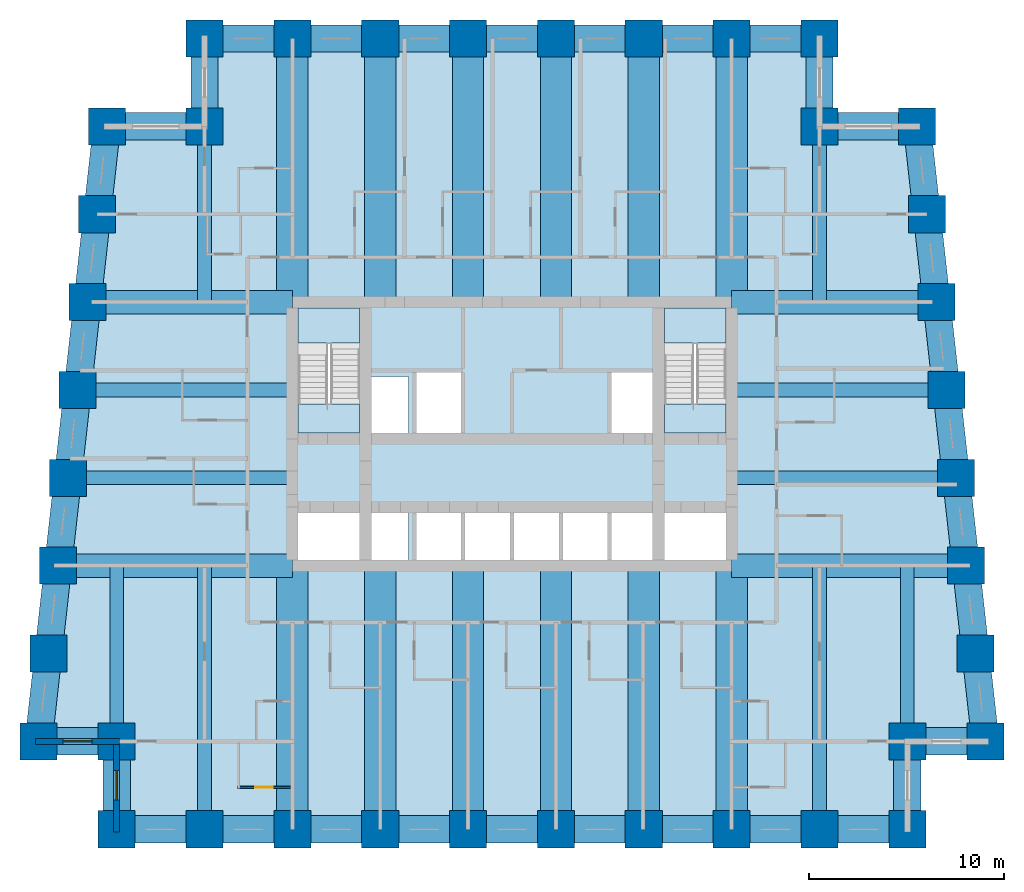
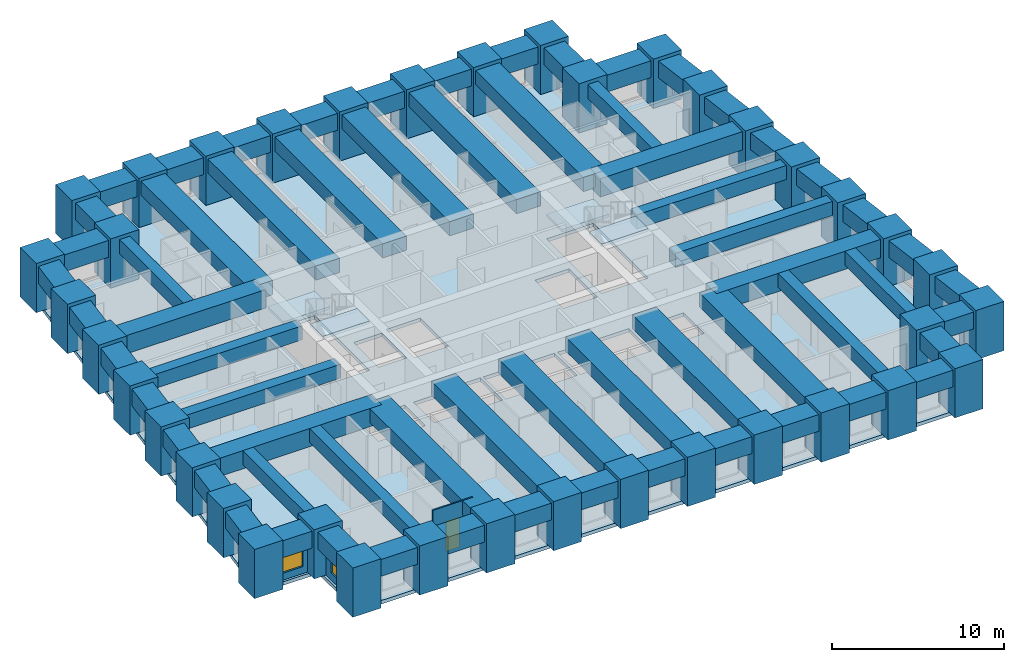
# One storey, part 1 of 8: 64 beams, 38 columns, 5 slabs, 3 walls, 2 windows, 1 door, 3 openings, 2 elements without a shape of their own.
"""IFC4 building model written with IfcOpenShell, lengths in metres."""

from ifc_helpers import new_model, si_unit, direction, frame, frame_2d, origin, origin_2d, place, context, subcontext, project, spatial, polyline, rectangle, outline, extrude, material, layer, layer_set, material_profile, profile_set, type_object, element, fill, aggregate, save


model = new_model("IFC4")

# Units and contexts
model_context = context("Model", 3, precision=1e-05, world=origin(), true_north=direction((0.0, 1.0)))
body_context = subcontext(model_context, "Body", "Model", "MODEL_VIEW")
ifc_project = project(units=[si_unit("LENGTHUNIT", "METRE"), si_unit("AREAUNIT", "SQUARE_METRE"), si_unit("VOLUMEUNIT", "CUBIC_METRE"), si_unit("PLANEANGLEUNIT", "RADIAN"), si_unit("MASSUNIT", "GRAM", prefix="KILO")], contexts=[model_context])

# Site, building, storey
site_placement = place(None, origin())
site = spatial("IfcSite", under=ifc_project, at=site_placement, CompositionType="ELEMENT")
building_placement = place(site_placement, origin())
building = spatial("IfcBuilding", under=site, at=building_placement, Name="Kilele Tower Hotel", CompositionType="ELEMENT")
storey_placement = place(building_placement, frame((0.0, 0.0, 78.699951171875)))
storey = spatial("IfcBuildingStorey", under=building, at=storey_placement, Name="L19", CompositionType="ELEMENT", Elevation=78.699951171875)

# Columns
ifc_material_1 = material(Name="Concrete C80/95", Category="concrete")
ifc_material_profile_1 = material_profile(ifc_material_1, rectangle(XDim=1.89990234375, YDim=1.89990234375, at=origin_2d()))
ifc_profile_set_1 = profile_set([ifc_material_profile_1], Name="Concrete C80/95")
column_type = type_object("IfcColumnType", Name="Tube column RC 1900x1900 C80/95", PredefinedType="COLUMN", material=ifc_profile_set_1)
for number, where, z_axis, x_axis, name in (
    (1, (0.5, 4.5, 0.0), (0.0, 0.0, 1.0), (1.0, 0.0, 0.0), "Column TC1 L19"),
    (2, (4.5, 4.5, 0.0), (0.0, 0.0, 1.0), (1.0, 0.0, 0.0), "Column TC1 L19"),
    (3, (4.5, 0.0, 0.0), (0.0, 0.0, 1.0), (1.0, 0.0, 0.0), "Column TC1 L19"),
    (4, (9.0, 0.0, 0.0), (0.0, 0.0, 1.0), (1.0, 0.0, 0.0), "Column TC1 L19"),
    (5, (13.5, 0.0, 0.0), (0.0, 0.0, 1.0), (1.0, 0.0, 0.0), "Column TC1 L19"),
    (6, (18.0, 0.0, 0.0), (0.0, 0.0, 1.0), (1.0, 0.0, 0.0), "Column TC1 L19"),
    (7, (22.5, 0.0, 0.0), (0.0, 0.0, 1.0), (1.0, 0.0, 0.0), "Column TC1 L19"),
    (8, (27.0, 0.0, 0.0), (0.0, 0.0, 1.0), (1.0, 0.0, 0.0), "Column TC1 L19"),
    (9, (31.5, 0.0, 0.0), (0.0, 0.0, 1.0), (1.0, 0.0, 0.0), "Column TC1 L19"),
    (10, (36.0, 0.0, 0.0), (0.0, 0.0, 1.0), (1.0, 0.0, 0.0), "Column TC1 L19"),
    (11, (40.5, 0.0, 0.0), (0.0, 0.0, 1.0), (1.0, 0.0, 0.0), "Column TC1 L19"),
    (12, (45.0, 0.0, 0.0), (0.0, 0.0, 1.0), (1.0, 0.0, 0.0), "Column TC1 L19"),
    (13, (45.0, 4.5, 0.0), (0.0, 0.0, 1.0), (1.0, 0.0, 0.0), "Column TC1 L19"),
    (14, (49.0, 4.5, 0.0), (0.0, 0.0, 1.0), (1.0, 0.0, 0.0), "Column TC1 L19"),
    (15, (48.5, 9.0, 0.0), (0.0, 0.0, 1.0), (1.0, 0.0, 0.0), "Column TC1 L19"),
    (16, (48.0, 13.5, 0.0), (0.0, 0.0, 1.0), (1.0, 0.0, 0.0), "Column TC1 L19"),
    (17, (47.5, 18.0, 0.0), (0.0, 0.0, 1.0), (1.0, 0.0, 0.0), "Column TC1 L19"),
    (18, (47.0, 22.5, 0.0), (0.0, 0.0, 1.0), (1.0, 0.0, 0.0), "Column TC1 L19"),
    (19, (46.5, 27.0, 0.0), (0.0, 0.0, 1.0), (1.0, 0.0, 0.0), "Column TC1 L19"),
    (20, (46.0, 31.5, 0.0), (0.0, 0.0, 1.0), (1.0, 0.0, 0.0), "Column TC1 L19"),
    (21, (45.5, 36.0, 0.0), (0.0, 0.0, 1.0), (1.0, 0.0, 0.0), "Column TC1 L19"),
    (22, (40.5, 36.0, 0.0), (0.0, 0.0, 1.0), (1.0, 0.0, 0.0), "Column TC1 L19"),
    (23, (40.5, 40.5, 0.0), (0.0, 0.0, 1.0), (1.0, 0.0, 0.0), "Column TC1 L19"),
    (24, (36.0, 40.5, 0.0), (0.0, 0.0, 1.0), (1.0, 0.0, 0.0), "Column TC1 L19"),
    (25, (31.5, 40.5, 0.0), (0.0, 0.0, 1.0), (1.0, 0.0, 0.0), "Column TC1 L19"),
    (26, (27.0, 40.5, 0.0), (0.0, 0.0, 1.0), (1.0, 0.0, 0.0), "Column TC1 L19"),
    (27, (22.5, 40.5, 0.0), (0.0, 0.0, 1.0), (1.0, 0.0, 0.0), "Column TC1 L19"),
    (28, (18.0, 40.5, 0.0), (0.0, 0.0, 1.0), (1.0, 0.0, 0.0), "Column TC1 L19"),
    (29, (13.5, 40.5, 0.0), (0.0, 0.0, 1.0), (1.0, 0.0, 0.0), "Column TC1 L19"),
    (30, (9.0, 40.5, 0.0), (0.0, 0.0, 1.0), (1.0, 0.0, 0.0), "Column TC1 L19"),
    (31, (9.0, 36.0, 0.0), (0.0, 0.0, 1.0), (1.0, 0.0, 0.0), "Column TC1 L19"),
    (32, (4.0, 36.0, 0.0), (0.0, 0.0, 1.0), (1.0, 0.0, 0.0), "Column TC1 L19"),
    (33, (3.5, 31.5, 0.0), (0.0, 0.0, 1.0), (1.0, 0.0, 0.0), "Column TC1 L19"),
    (34, (3.0, 27.0, 0.0), (0.0, 0.0, 1.0), (1.0, 0.0, 0.0), "Column TC1 L19"),
    (35, (2.5, 22.5, 0.0), (0.0, 0.0, 1.0), (1.0, 0.0, 0.0), "Column TC1 L19"),
    (36, (2.0, 18.0, 0.0), (0.0, 0.0, 1.0), (1.0, 0.0, 0.0), "Column TC1 L19"),
    (37, (1.5, 13.5, 0.0), (0.0, 0.0, 1.0), (1.0, 0.0, 0.0), "Column TC1 L19"),
    (38, (1.0, 9.0, 0.0), (0.0, 0.0, 1.0), (1.0, 0.0, 0.0), "Column TC1 L19"),
):
    element("IfcColumn", number, at=place(storey_placement, frame(where, z_axis=z_axis, x_axis=x_axis)), inside=storey, type_object=column_type, Name=name, PredefinedType="COLUMN", context=body_context, shape_type="SweptSolid", body=[
        extrude(rectangle(XDim=1.89990234375, YDim=1.89990234375, at=origin_2d()), origin(), (0.0, 0.0, 1.0), 3.5),
    ])

# Beams
ifc_material_2 = material(Name="Concrete C60/75", Category="concrete")
ifc_material_profile_2 = material_profile(ifc_material_2, rectangle(XDim=1.60009765625, YDim=1.0, at=origin_2d()))
ifc_profile_set_2 = profile_set([ifc_material_profile_2], Name="Concrete C60/75")
beam_type_1 = type_object("IfcBeamType", Name="Beam RC 1600x1000 C60/75", PredefinedType="BEAM", material=ifc_profile_set_2)
for number, where, z_axis, x_axis, name in (
    (39, (13.5, 0.0, 2.75), (0.0, 1.0, 0.0), (-1.0, 0.0, 0.0), "Beam BC1 level L20"),
    (40, (18.0, 0.0, 2.75), (0.0, 1.0, 0.0), (-1.0, 0.0, 0.0), "Beam BC1 level L20"),
    (41, (22.5, 0.0, 2.75), (0.0, 1.0, 0.0), (-1.0, 0.0, 0.0), "Beam BC1 level L20"),
    (42, (27.0, 0.0, 2.75), (0.0, 1.0, 0.0), (-1.0, 0.0, 0.0), "Beam BC1 level L20"),
    (43, (31.5, 0.0, 2.75), (0.0, 1.0, 0.0), (-1.0, 0.0, 0.0), "Beam BC1 level L20"),
    (44, (36.0, 0.0, 2.75), (0.0, 1.0, 0.0), (-1.0, 0.0, 0.0), "Beam BC1 level L20"),
    (45, (36.0, 40.5, 2.75), (0.0, -1.0, 0.0), (1.0, 0.0, 0.0), "Beam BC1 level L20"),
    (46, (31.5, 40.5, 2.75), (0.0, -1.0, 0.0), (1.0, 0.0, 0.0), "Beam BC1 level L20"),
    (47, (27.0, 40.5, 2.75), (0.0, -1.0, 0.0), (1.0, 0.0, 0.0), "Beam BC1 level L20"),
    (48, (22.5, 40.5, 2.75), (0.0, -1.0, 0.0), (1.0, 0.0, 0.0), "Beam BC1 level L20"),
    (49, (18.0, 40.5, 2.75), (0.0, -1.0, 0.0), (1.0, 0.0, 0.0), "Beam BC1 level L20"),
    (50, (13.5, 40.5, 2.75), (0.0, -1.0, 0.0), (1.0, 0.0, 0.0), "Beam BC1 level L20"),
):
    element("IfcBeam", number, at=place(storey_placement, frame(where, z_axis=z_axis, x_axis=x_axis)), inside=storey, type_object=beam_type_1, Name=name, PredefinedType="BEAM", context=body_context, shape_type="SweptSolid", body=[
        extrude(rectangle(XDim=1.60009765625, YDim=1.0, at=origin_2d()), origin(), (0.0, 0.0, 1.0), 13.5),
    ])
ifc_material_3 = material(Name="Concrete C60/75", Category="concrete")
ifc_material_profile_3 = material_profile(ifc_material_3, rectangle(XDim=0.699951171875, YDim=1.0, at=origin_2d()))
ifc_profile_set_3 = profile_set([ifc_material_profile_3], Name="Concrete C60/75")
beam_type_2 = type_object("IfcBeamType", Name="Beam RC 700x1000 C60/75", PredefinedType="BEAM", material=ifc_profile_set_3)
for number, where, z_axis, x_axis, name in (
    (51, (9.0, 0.0, 2.75), (0.0, 1.0, 0.0), (-1.0, 0.0, 0.0), "Beam B4 level L20"),
    (52, (40.5, 0.0, 2.75), (0.0, 1.0, 0.0), (-1.0, 0.0, 0.0), "Beam B4 level L20"),
):
    element("IfcBeam", number, at=place(storey_placement, frame(where, z_axis=z_axis, x_axis=x_axis)), inside=storey, type_object=beam_type_2, Name=name, PredefinedType="BEAM", context=body_context, shape_type="SweptSolid", body=[
        extrude(rectangle(XDim=0.699951171875, YDim=1.0, at=origin_2d()), origin(), (0.0, 0.0, 1.0), 13.5),
    ])
ifc_material_4 = material(Name="Concrete C60/75", Category="concrete")
ifc_material_profile_4 = material_profile(ifc_material_4, rectangle(XDim=0.699951171875, YDim=1.0, at=origin_2d()))
ifc_profile_set_4 = profile_set([ifc_material_profile_4], Name="Concrete C60/75")
beam_type_3 = type_object("IfcBeamType", Name="Beam RC 700x1000 C60/75 mid span", PredefinedType="BEAM", material=ifc_profile_set_4)
for number, where, z_axis, x_axis, name in (
    (53, (4.5, 4.5, 2.75), (0.0, 1.0, 0.0), (-1.0, 0.0, 0.0), "Beam B5 level L20"),
    (54, (45.0, 4.5, 2.75), (0.0, 1.0, 0.0), (-1.0, 0.0, 0.0), "Beam B5 level L20"),
):
    element("IfcBeam", number, at=place(storey_placement, frame(where, z_axis=z_axis, x_axis=x_axis)), inside=storey, type_object=beam_type_3, Name=name, PredefinedType="BEAM", context=body_context, shape_type="SweptSolid", body=[
        extrude(rectangle(XDim=0.699951171875, YDim=1.0, at=origin_2d()), origin(), (0.0, 0.0, 1.0), 9.0),
    ])
beam_1_placement = place(storey_placement, frame((47.5, 18.0, 2.75), z_axis=(-1.0, 0.0, 0.0), x_axis=(0.0, -1.0, 0.0)))
element("IfcBeam", 55, at=beam_1_placement, inside=storey, type_object=beam_type_3, Name="Beam B5 level L20", PredefinedType="BEAM", context=body_context, shape_type="SweptSolid", body=[
    extrude(rectangle(XDim=0.699951171875, YDim=1.0, at=origin_2d()), origin(), (0.0, 0.0, 1.0), 11.5),
])
beam_2_placement = place(storey_placement, frame((47.0, 22.5, 2.75), z_axis=(-1.0, 0.0, 0.0), x_axis=(0.0, -1.0, 0.0)))
element("IfcBeam", 56, at=beam_2_placement, inside=storey, type_object=beam_type_3, Name="Beam B5 level L20", PredefinedType="BEAM", context=body_context, shape_type="SweptSolid", body=[
    extrude(rectangle(XDim=0.699951171875, YDim=1.0, at=origin_2d()), origin(), (0.0, 0.0, 1.0), 11.0),
])
for number, where, z_axis, x_axis, name in (
    (57, (40.5, 36.0, 2.75), (0.0, -1.0, 0.0), (1.0, 0.0, 0.0), "Beam B5 level L20"),
    (58, (9.0, 36.0, 2.75), (0.0, -1.0, 0.0), (1.0, 0.0, 0.0), "Beam B5 level L20"),
):
    element("IfcBeam", number, at=place(storey_placement, frame(where, z_axis=z_axis, x_axis=x_axis)), inside=storey, type_object=beam_type_3, Name=name, PredefinedType="BEAM", context=body_context, shape_type="SweptSolid", body=[
        extrude(rectangle(XDim=0.699951171875, YDim=1.0, at=origin_2d()), origin(), (0.0, 0.0, 1.0), 9.0),
    ])
beam_3_placement = place(storey_placement, frame((2.5, 22.5, 2.75), z_axis=(1.0, 0.0, 0.0), x_axis=(0.0, 1.0, 0.0)))
element("IfcBeam", 59, at=beam_3_placement, inside=storey, type_object=beam_type_3, Name="Beam B5 level L20", PredefinedType="BEAM", context=body_context, shape_type="SweptSolid", body=[
    extrude(rectangle(XDim=0.699951171875, YDim=1.0, at=origin_2d()), origin(), (0.0, 0.0, 1.0), 11.0),
])
beam_4_placement = place(storey_placement, frame((2.0, 18.0, 2.75), z_axis=(1.0, 0.0, 0.0), x_axis=(0.0, 1.0, 0.0)))
element("IfcBeam", 60, at=beam_4_placement, inside=storey, type_object=beam_type_3, Name="Beam B5 level L20", PredefinedType="BEAM", context=body_context, shape_type="SweptSolid", body=[
    extrude(rectangle(XDim=0.699951171875, YDim=1.0, at=origin_2d()), origin(), (0.0, 0.0, 1.0), 11.5),
])
ifc_material_5 = material(Name="Concrete C60/75", Category="concrete")
ifc_material_profile_5 = material_profile(ifc_material_5, rectangle(XDim=1.199951171875, YDim=1.300048828125, at=origin_2d()))
ifc_profile_set_5 = profile_set([ifc_material_profile_5], Name="Concrete C60/75")
beam_type_4 = type_object("IfcBeamType", Name="Girder RC 1200x1300 C60/75", PredefinedType="BEAM", material=ifc_profile_set_5)
for number, where, z_axis, x_axis, name in (
    (61, (48.0, 13.5, 2.60009765625), (-1.0, 0.0, 0.0), (0.0, -1.0, 0.0), "Girder G1 level L20"),
    (62, (1.5, 13.5, 2.60009765625), (1.0, 0.0, 0.0), (0.0, 1.0, 0.0), "Girder G1 level L20"),
):
    element("IfcBeam", number, at=place(storey_placement, frame(where, z_axis=z_axis, x_axis=x_axis)), inside=storey, type_object=beam_type_4, Name=name, PredefinedType="BEAM", context=body_context, shape_type="SweptSolid", body=[
        extrude(rectangle(XDim=1.199951171875, YDim=1.300048828125, at=origin_2d()), origin(), (0.0, 0.0, 1.0), 12.0),
    ])
ifc_material_6 = material(Name="Concrete C60/75", Category="concrete")
ifc_material_profile_6 = material_profile(ifc_material_6, rectangle(XDim=1.199951171875, YDim=1.300048828125, at=origin_2d()))
ifc_profile_set_6 = profile_set([ifc_material_profile_6], Name="Concrete C60/75")
beam_type_5 = type_object("IfcBeamType", Name="Girder RC 1200x1300 C60/75 mid span", PredefinedType="BEAM", material=ifc_profile_set_6)
for number, where, z_axis, x_axis, name in (
    (63, (46.5, 27.0, 2.60009765625), (-1.0, 0.0, 0.0), (0.0, -1.0, 0.0), "Girder G3 level L20"),
    (64, (3.0, 27.0, 2.60009765625), (1.0, 0.0, 0.0), (0.0, 1.0, 0.0), "Girder G3 level L20"),
):
    element("IfcBeam", number, at=place(storey_placement, frame(where, z_axis=z_axis, x_axis=x_axis)), inside=storey, type_object=beam_type_5, Name=name, PredefinedType="BEAM", context=body_context, shape_type="SweptSolid", body=[
        extrude(rectangle(XDim=1.199951171875, YDim=1.300048828125, at=origin_2d()), origin(), (0.0, 0.0, 1.0), 10.5),
    ])
ifc_material_7 = material(Name="Concrete C60/75", Category="concrete")
ifc_material_profile_7 = material_profile(ifc_material_7, rectangle(XDim=1.39990234375, YDim=1.199951171875, at=origin_2d()))
ifc_profile_set_7 = profile_set([ifc_material_profile_7], Name="Concrete C60/75")
beam_type_6 = type_object("IfcBeamType", Name="Spandrel RC 1400x1200 C60/75", PredefinedType="SPANDREL", material=ifc_profile_set_7)
beam_5_placement = place(storey_placement, frame((0.5, 4.5, 2.650146484375), z_axis=(1.0, 0.0, 0.0), x_axis=(0.0, 1.0, 0.0)))
element("IfcBeam", 65, at=beam_5_placement, inside=storey, type_object=beam_type_6, Name="Spandrel SP10 level L20", PredefinedType="SPANDREL", context=body_context, shape_type="SweptSolid", body=[
    extrude(rectangle(XDim=1.39990234375, YDim=1.199951171875, at=origin_2d()), origin(), (0.0, 0.0, 1.0), 4.0),
])
for number, where, z_axis, x_axis, name in (
    (66, (4.5, 4.5, 2.650146484375), (0.0, -1.0, 0.0), (1.0, 0.0, 0.0), "Spandrel SP10 level L20"),
    (67, (4.5, 0.0, 2.650146484375), (1.0, 0.0, 0.0), (0.0, 1.0, 0.0), "Spandrel SP10 level L20"),
    (68, (9.0, 0.0, 2.650146484375), (1.0, 0.0, 0.0), (0.0, 1.0, 0.0), "Spandrel SP10 level L20"),
    (69, (13.5, 0.0, 2.650146484375), (1.0, 0.0, 0.0), (0.0, 1.0, 0.0), "Spandrel SP10 level L20"),
    (70, (18.0, 0.0, 2.650146484375), (1.0, 0.0, 0.0), (0.0, 1.0, 0.0), "Spandrel SP10 level L20"),
    (71, (22.5, 0.0, 2.650146484375), (1.0, 0.0, 0.0), (0.0, 1.0, 0.0), "Spandrel SP10 level L20"),
    (72, (27.0, 0.0, 2.650146484375), (1.0, 0.0, 0.0), (0.0, 1.0, 0.0), "Spandrel SP10 level L20"),
    (73, (31.5, 0.0, 2.650146484375), (1.0, 0.0, 0.0), (0.0, 1.0, 0.0), "Spandrel SP10 level L20"),
    (74, (36.0, 0.0, 2.650146484375), (1.0, 0.0, 0.0), (0.0, 1.0, 0.0), "Spandrel SP10 level L20"),
    (75, (40.5, 0.0, 2.650146484375), (1.0, 0.0, 0.0), (0.0, 1.0, 0.0), "Spandrel SP10 level L20"),
    (76, (45.0, 0.0, 2.650146484375), (0.0, 1.0, 0.0), (-1.0, 0.0, 0.0), "Spandrel SP10 level L20"),
):
    element("IfcBeam", number, at=place(storey_placement, frame(where, z_axis=z_axis, x_axis=x_axis)), inside=storey, type_object=beam_type_6, Name=name, PredefinedType="SPANDREL", context=body_context, shape_type="SweptSolid", body=[
        extrude(rectangle(XDim=1.39990234375, YDim=1.199951171875, at=origin_2d()), origin(), (0.0, 0.0, 1.0), 4.5),
    ])
beam_6_placement = place(storey_placement, frame((45.0, 4.5, 2.650146484375), z_axis=(1.0, 0.0, 0.0), x_axis=(0.0, 1.0, 0.0)))
element("IfcBeam", 77, at=beam_6_placement, inside=storey, type_object=beam_type_6, Name="Spandrel SP10 level L20", PredefinedType="SPANDREL", context=body_context, shape_type="SweptSolid", body=[
    extrude(rectangle(XDim=1.39990234375, YDim=1.199951171875, at=origin_2d()), origin(), (0.0, 0.0, 1.0), 4.0),
])
for number, where, z_axis, x_axis, name in (
    (78, (49.0, 4.5, 2.650146484375), (-0.110431526075, 0.993883734674, 0.0), (-0.993883734674, -0.110431526075, 0.0), "Spandrel SP10 level L20"),
    (79, (48.5, 9.0, 2.650146484375), (-0.110431526075, 0.993883734674, 0.0), (-0.993883734674, -0.110431526075, 0.0), "Spandrel SP10 level L20"),
    (80, (48.0, 13.5, 2.650146484375), (-0.110431526075, 0.993883734674, 0.0), (-0.993883734674, -0.110431526075, 0.0), "Spandrel SP10 level L20"),
    (81, (47.5, 18.0, 2.650146484375), (-0.110431526075, 0.993883734674, 0.0), (-0.993883734674, -0.110431526075, 0.0), "Spandrel SP10 level L20"),
    (82, (47.0, 22.5, 2.650146484375), (-0.110431526075, 0.993883734674, 0.0), (-0.993883734674, -0.110431526075, 0.0), "Spandrel SP10 level L20"),
    (83, (46.5, 27.0, 2.650146484375), (-0.110431526075, 0.993883734674, 0.0), (-0.993883734674, -0.110431526075, 0.0), "Spandrel SP10 level L20"),
    (84, (46.0, 31.5, 2.650146484375), (-0.110431526075, 0.993883734674, 0.0), (-0.993883734674, -0.110431526075, 0.0), "Spandrel SP10 level L20"),
):
    element("IfcBeam", number, at=place(storey_placement, frame(where, z_axis=z_axis, x_axis=x_axis)), inside=storey, type_object=beam_type_6, Name=name, PredefinedType="SPANDREL", context=body_context, shape_type="SweptSolid", body=[
        extrude(rectangle(XDim=1.39990234375, YDim=1.199951171875, at=origin_2d()), origin(), (0.0, 0.0, 1.0), 4.527587890625),
    ])
beam_7_placement = place(storey_placement, frame((45.5, 36.0, 2.650146484375), z_axis=(-1.0, 0.0, 0.0), x_axis=(0.0, -1.0, 0.0)))
element("IfcBeam", 85, at=beam_7_placement, inside=storey, type_object=beam_type_6, Name="Spandrel SP10 level L20", PredefinedType="SPANDREL", context=body_context, shape_type="SweptSolid", body=[
    extrude(rectangle(XDim=1.39990234375, YDim=1.199951171875, at=origin_2d()), origin(), (0.0, 0.0, 1.0), 5.0),
])
for number, where, z_axis, x_axis, name in (
    (86, (40.5, 36.0, 2.650146484375), (0.0, 1.0, 0.0), (-1.0, 0.0, 0.0), "Spandrel SP10 level L20"),
    (87, (40.5, 40.5, 2.650146484375), (-1.0, 0.0, 0.0), (0.0, -1.0, 0.0), "Spandrel SP10 level L20"),
    (88, (36.0, 40.5, 2.650146484375), (-1.0, 0.0, 0.0), (0.0, -1.0, 0.0), "Spandrel SP10 level L20"),
    (89, (31.5, 40.5, 2.650146484375), (-1.0, 0.0, 0.0), (0.0, -1.0, 0.0), "Spandrel SP10 level L20"),
    (90, (27.0, 40.5, 2.650146484375), (-1.0, 0.0, 0.0), (0.0, -1.0, 0.0), "Spandrel SP10 level L20"),
    (91, (22.5, 40.5, 2.650146484375), (-1.0, 0.0, 0.0), (0.0, -1.0, 0.0), "Spandrel SP10 level L20"),
    (92, (18.0, 40.5, 2.650146484375), (-1.0, 0.0, 0.0), (0.0, -1.0, 0.0), "Spandrel SP10 level L20"),
    (93, (13.5, 40.5, 2.650146484375), (-1.0, 0.0, 0.0), (0.0, -1.0, 0.0), "Spandrel SP10 level L20"),
    (94, (9.0, 40.5, 2.650146484375), (0.0, -1.0, 0.0), (1.0, 0.0, 0.0), "Spandrel SP10 level L20"),
):
    element("IfcBeam", number, at=place(storey_placement, frame(where, z_axis=z_axis, x_axis=x_axis)), inside=storey, type_object=beam_type_6, Name=name, PredefinedType="SPANDREL", context=body_context, shape_type="SweptSolid", body=[
        extrude(rectangle(XDim=1.39990234375, YDim=1.199951171875, at=origin_2d()), origin(), (0.0, 0.0, 1.0), 4.5),
    ])
beam_8_placement = place(storey_placement, frame((9.0, 36.0, 2.650146484375), z_axis=(-1.0, 0.0, 0.0), x_axis=(0.0, -1.0, 0.0)))
element("IfcBeam", 95, at=beam_8_placement, inside=storey, type_object=beam_type_6, Name="Spandrel SP10 level L20", PredefinedType="SPANDREL", context=body_context, shape_type="SweptSolid", body=[
    extrude(rectangle(XDim=1.39990234375, YDim=1.199951171875, at=origin_2d()), origin(), (0.0, 0.0, 1.0), 5.0),
])
for number, where, z_axis, x_axis, name in (
    (96, (4.0, 36.0, 2.650146484375), (-0.110431526075, -0.993883734674, 0.0), (0.993883734674, -0.110431526075, 0.0), "Spandrel SP10 level L20"),
    (97, (3.5, 31.5, 2.650146484375), (-0.110431526075, -0.993883734674, 0.0), (0.993883734674, -0.110431526075, 0.0), "Spandrel SP10 level L20"),
    (98, (3.0, 27.0, 2.650146484375), (-0.110431526075, -0.993883734674, 0.0), (0.993883734674, -0.110431526075, 0.0), "Spandrel SP10 level L20"),
    (99, (2.5, 22.5, 2.650146484375), (-0.110431526075, -0.993883734674, 0.0), (0.993883734674, -0.110431526075, 0.0), "Spandrel SP10 level L20"),
    (100, (2.0, 18.0, 2.650146484375), (-0.110431526075, -0.993883734674, 0.0), (0.993883734674, -0.110431526075, 0.0), "Spandrel SP10 level L20"),
    (101, (1.5, 13.5, 2.650146484375), (-0.110431526075, -0.993883734674, 0.0), (0.993883734674, -0.110431526075, 0.0), "Spandrel SP10 level L20"),
    (102, (1.0, 9.0, 2.650146484375), (-0.110431526075, -0.993883734674, 0.0), (0.993883734674, -0.110431526075, 0.0), "Spandrel SP10 level L20"),
):
    element("IfcBeam", number, at=place(storey_placement, frame(where, z_axis=z_axis, x_axis=x_axis)), inside=storey, type_object=beam_type_6, Name=name, PredefinedType="SPANDREL", context=body_context, shape_type="SweptSolid", body=[
        extrude(rectangle(XDim=1.39990234375, YDim=1.199951171875, at=origin_2d()), origin(), (0.0, 0.0, 1.0), 4.527587890625),
    ])

# Slab
ifc_material_8 = material(Name="Concrete C60/75", Category="concrete")
ifc_layer_1 = layer(ifc_material_8, 0.25)
ifc_layer_set_1 = layer_set([ifc_layer_1], Name="Concrete C60/75")
slab_type_1 = type_object("IfcSlabType", Name="Floor slab 250", PredefinedType="FLOOR", material=ifc_layer_set_1)
slab_1_placement = place(storey_placement, frame((0.0, 0.0, -0.25)))
element("IfcSlab", 103, at=slab_1_placement, inside=storey, type_object=slab_type_1, Name="Floor slab L19", PredefinedType="FLOOR", context=body_context, shape_type="SweptSolid", body=[
    extrude(outline(polyline([(8.699951171875, 36.300048828125), (8.699951171875, 40.800048828125), (40.800048828125, 40.800048828125), (40.800048828125, 36.300048828125), (45.7685546875, 36.300048828125), (49.335205078125, 4.199951171875), (45.300048828125, 4.199951171875), (45.300048828125, -0.300048828125), (4.199951171875, -0.300048828125), (4.199951171875, 4.199951171875), (0.164794921875, 4.199951171875), (3.7314453125, 36.300048828125), (8.699951171875, 36.300048828125)]), holes=[polyline([(16.949951171875, 16.199951171875), (13.800048828125, 16.199951171875), (13.800048828125, 13.800048828125), (16.949951171875, 13.800048828125), (16.949951171875, 16.199951171875)]), polyline([(19.449951171875, 13.800048828125), (19.449951171875, 16.199951171875), (17.550048828125, 16.199951171875), (17.550048828125, 13.800048828125), (19.449951171875, 13.800048828125)]), polyline([(22.14990234375, 13.800048828125), (22.14990234375, 16.39990234375), (19.85009765625, 16.39990234375), (19.85009765625, 13.800048828125), (22.14990234375, 13.800048828125)]), polyline([(24.64990234375, 16.39990234375), (22.35009765625, 16.39990234375), (22.35009765625, 13.800048828125), (24.64990234375, 13.800048828125), (24.64990234375, 16.39990234375)]), polyline([(19.449951171875, 20.300048828125), (19.449951171875, 23.199951171875), (17.550048828125, 23.199951171875), (17.550048828125, 20.300048828125), (19.449951171875, 20.300048828125)]), polyline([(22.14990234375, 20.10009765625), (22.14990234375, 23.39990234375), (19.85009765625, 23.39990234375), (19.85009765625, 20.10009765625), (22.14990234375, 20.10009765625)]), polyline([(16.949951171875, 26.699951171875), (13.800048828125, 26.699951171875), (13.800048828125, 20.300048828125), (16.949951171875, 20.300048828125), (16.949951171875, 26.699951171875)]), polyline([(35.699951171875, 13.800048828125), (35.699951171875, 16.199951171875), (32.550048828125, 16.199951171875), (32.550048828125, 13.800048828125), (35.699951171875, 13.800048828125)]), polyline([(27.14990234375, 13.800048828125), (27.14990234375, 16.39990234375), (24.85009765625, 16.39990234375), (24.85009765625, 13.800048828125), (27.14990234375, 13.800048828125)]), polyline([(29.64990234375, 13.800048828125), (29.64990234375, 16.39990234375), (27.35009765625, 16.39990234375), (27.35009765625, 13.800048828125), (29.64990234375, 13.800048828125)]), polyline([(32.14990234375, 13.800048828125), (32.14990234375, 16.39990234375), (29.85009765625, 16.39990234375), (29.85009765625, 13.800048828125), (32.14990234375, 13.800048828125)]), polyline([(32.14990234375, 20.10009765625), (32.14990234375, 23.39990234375), (29.85009765625, 23.39990234375), (29.85009765625, 20.10009765625), (32.14990234375, 20.10009765625)]), polyline([(35.699951171875, 20.300048828125), (35.699951171875, 26.699951171875), (32.550048828125, 26.699951171875), (32.550048828125, 20.300048828125), (35.699951171875, 20.300048828125)])]), origin(), (0.0, 0.0, 1.0), 0.25),
])

# Stair, slabs
ifc_material_9 = material(Name="Precast concrete C40/50", Category="concrete")
stair_type = type_object("IfcStairType", Name="Stair 1475 x 3500", PredefinedType="HALF_TURN_STAIR", material=ifc_material_9)
stair_1_placement = place(storey_placement, origin())
stair_1 = element("IfcStair", 104, at=stair_1_placement, inside=storey, type_object=stair_type, Name="Stair 1 L19", PredefinedType="HALF_TURN_STAIR")
ifc_material_10 = material(Name="Precast concrete C40/50", Category="concrete")
ifc_layer_2 = layer(ifc_material_10, 0.199951171875)
ifc_layer_set_2 = layer_set([ifc_layer_2], Name="Precast concrete C40/50")
slab_type_2 = type_object("IfcSlabType", Name="Stair landing 200", PredefinedType="LANDING", material=ifc_layer_set_2)
slab_2_placement = place(storey_placement, frame((0.0, 0.0, 1.550048828125)))
slab_2 = element("IfcSlab", 105, at=slab_2_placement, type_object=slab_type_2, Name="ST1 landing 1", PredefinedType="LANDING", context=body_context, shape_type="SweptSolid", body=[
    extrude(outline(polyline([(13.800048828125, 24.89501953125), (16.949951171875, 24.89501953125), (16.949951171875, 26.699951171875), (13.800048828125, 26.699951171875), (13.800048828125, 24.89501953125)])), origin(), (0.0, 0.0, 1.0), 0.199951171875),
])
slab_3_placement = place(storey_placement, frame((0.0, 0.0, 3.300048828125)))
slab_3 = element("IfcSlab", 106, at=slab_3_placement, type_object=slab_type_2, Name="ST1 landing 2", PredefinedType="LANDING", context=body_context, shape_type="SweptSolid", body=[
    extrude(outline(polyline([(13.800048828125, 20.300048828125), (16.949951171875, 20.300048828125), (16.949951171875, 21.77490234375), (13.800048828125, 21.77490234375), (13.800048828125, 20.300048828125)])), origin(), (0.0, 0.0, 1.0), 0.199951171875),
])
aggregate(stair_1, [slab_2, slab_3])

stair_2_placement = place(storey_placement, origin())
stair_2 = element("IfcStair", 107, at=stair_2_placement, inside=storey, type_object=stair_type, Name="Stair 2 L19", PredefinedType="HALF_TURN_STAIR")
slab_4_placement = place(storey_placement, frame((0.0, 0.0, 1.550048828125)))
slab_4 = element("IfcSlab", 108, at=slab_4_placement, type_object=slab_type_2, Name="ST2 landing 1", PredefinedType="LANDING", context=body_context, shape_type="SweptSolid", body=[
    extrude(outline(polyline([(32.550048828125, 24.89501953125), (35.699951171875, 24.89501953125), (35.699951171875, 26.699951171875), (32.550048828125, 26.699951171875), (32.550048828125, 24.89501953125)])), origin(), (0.0, 0.0, 1.0), 0.199951171875),
])
slab_5_placement = place(storey_placement, frame((0.0, 0.0, 3.300048828125)))
slab_5 = element("IfcSlab", 109, at=slab_5_placement, type_object=slab_type_2, Name="ST2 landing 2", PredefinedType="LANDING", context=body_context, shape_type="SweptSolid", body=[
    extrude(outline(polyline([(32.550048828125, 20.300048828125), (35.699951171875, 20.300048828125), (35.699951171875, 21.77490234375), (32.550048828125, 21.77490234375), (32.550048828125, 20.300048828125)])), origin(), (0.0, 0.0, 1.0), 0.199951171875),
])
aggregate(stair_2, [slab_4, slab_5])

# Wall, opening, door
ifc_material_11 = material(Name="Moisture-resistant board")
ifc_layer_3 = layer(ifc_material_11, 0.10009765625)
ifc_layer_set_3 = layer_set([ifc_layer_3], Name="Moisture-resistant board")
wall_type_1 = type_object("IfcWallType", Name="Bathroom partition 100", PredefinedType="PLUMBINGWALL", material=ifc_layer_set_3)
wall_1_placement = place(storey_placement, frame((13.39990234375, 2.14990234375, 0.0), z_axis=(0.0, 0.0, 1.0), x_axis=(-1.0, 0.0, 0.0)))
wall_1 = element("IfcWall", 110, at=wall_1_placement, inside=storey, type_object=wall_type_1, Name="Bathroom partition 100 L19", PredefinedType="PLUMBINGWALL", context=body_context, shape_type="SweptSolid", body=[
    extrude(rectangle(XDim=2.699951171875, YDim=0.10009765625, at=frame_2d((1.35009765625, 0.0))), origin(), (0.0, 0.0, 1.0), 3.25),
])
opening_1_placement = place(wall_1_placement, frame((0.89990234375, 0.0, 0.0)))
opening_1 = element("IfcOpeningElement", 111, at=opening_1_placement, cuts=wall_1, Name="Opening D2A", PredefinedType="OPENING", context=body_context, shape_type="SweptSolid", body=[
    extrude(rectangle(XDim=0.89990234375, YDim=2.10009765625, at=frame_2d((0.449951171875, 1.050048828125))), frame((0.0, 0.06005859375, 0.0), z_axis=(0.0, -1.0, 0.0), x_axis=(1.0, 0.0, 0.0)), (0.0, 0.0, 1.0), 0.1201171875),
])
ifc_material_12 = material(Name="Timber door leaf in hardwood frame", Category="wood")
door_type = type_object("IfcDoorType", Name="Bathroom door 900", OperationType="SINGLE_SWING_LEFT", PredefinedType="DOOR", material=ifc_material_12)
door_placement = place(opening_1_placement, origin())
door = element("IfcDoor", 112, at=door_placement, inside=storey, type_object=door_type, Name="Bathroom door 1919B", OperationType="SINGLE_SWING_LEFT", OverallHeight=2.10009765625, OverallWidth=0.89990234375, PredefinedType="DOOR", context=body_context, shape_type="SweptSolid", body=[
    extrude(rectangle(XDim=0.89990234375, YDim=2.10009765625, at=frame_2d((0.449951171875, 1.050048828125))), frame((0.0, 0.02490234375, 0.0), z_axis=(0.0, -1.0, 0.0), x_axis=(1.0, 0.0, 0.0)), (0.0, 0.0, 1.0), 0.050048828125),
])
fill(opening_1, door)

# Wall, opening, window
ifc_material_13 = material(Name="Concrete C40/50 precast", Category="concrete")
ifc_layer_4 = layer(ifc_material_13, 0.260009765625, Name="Precast backing", Category="LoadBearing")
ifc_material_14 = material(Name="Reconstituted stone finish", Category="masonry")
ifc_layer_5 = layer(ifc_material_14, 0.0400390625, Name="Face mix", Category="Finish")
ifc_layer_set_4 = layer_set([ifc_layer_4, ifc_layer_5], Name="Precast concrete C40/50, reconstituted stone finish")
wall_type_2 = type_object("IfcWallType", Name="Precast stone facade wall 300", PredefinedType="STANDARD", material=ifc_layer_set_4)
wall_2_placement = place(storey_placement, frame((0.35009765625, 4.5, 0.0), z_axis=(0.0, 0.0, 1.0), x_axis=(1.0, 0.0, 0.0)))
wall_2 = element("IfcWall", 113, at=wall_2_placement, inside=storey, type_object=wall_type_2, Name="Facade wall L19 edge 1", PredefinedType="STANDARD", context=body_context, shape_type="SweptSolid", body=[
    extrude(rectangle(XDim=4.2998046875, YDim=0.300048828125, at=frame_2d((2.14990234375, 0.0))), origin(), (0.0, 0.0, 1.0), 2.050048828125),
])
opening_2_placement = place(wall_2_placement, frame((1.39990234375, 0.0, 0.5)))
opening_2 = element("IfcOpeningElement", 114, at=opening_2_placement, cuts=wall_2, Name="Opening W1", PredefinedType="OPENING", context=body_context, shape_type="SweptSolid", body=[
    extrude(rectangle(XDim=1.5, YDim=1.39990234375, at=frame_2d((0.75, 0.699951171875))), frame((0.0, 0.159912109375, 0.0), z_axis=(0.0, -1.0, 0.0), x_axis=(1.0, 0.0, 0.0)), (0.0, 0.0, 1.0), 0.320068359375),
])
ifc_material_15 = material(Name="Aluminium frame, clear double glazing", Category="aluminium")
window_type = type_object("IfcWindowType", Name="Window W1 1500 x 1400", PartitioningType="SINGLE_PANEL", PredefinedType="WINDOW", material=ifc_material_15)
window_1_placement = place(opening_2_placement, origin())
window_1 = element("IfcWindow", 115, at=window_1_placement, inside=storey, type_object=window_type, Name="Window L19", OverallHeight=1.39990234375, OverallWidth=1.5, PartitioningType="SINGLE_PANEL", PredefinedType="WINDOW", context=body_context, shape_type="SweptSolid", body=[
    extrude(rectangle(XDim=1.5, YDim=1.39990234375, at=frame_2d((0.75, 0.699951171875))), frame((0.0, 0.030029296875, 0.0), z_axis=(0.0, -1.0, 0.0), x_axis=(1.0, 0.0, 0.0)), (0.0, 0.0, 1.0), 0.06005859375),
])
fill(opening_2, window_1)

wall_3_placement = place(storey_placement, frame((4.5, 4.64990234375, 0.0), z_axis=(0.0, 0.0, 1.0), x_axis=(0.0, -1.0, 0.0)))
wall_3 = element("IfcWall", 116, at=wall_3_placement, inside=storey, type_object=wall_type_2, Name="Facade wall L19 edge 2", PredefinedType="STANDARD", context=body_context, shape_type="SweptSolid", body=[
    extrude(rectangle(XDim=4.7998046875, YDim=0.300048828125, at=frame_2d((2.39990234375, 0.0))), origin(), (0.0, 0.0, 1.0), 2.050048828125),
])
opening_3_placement = place(wall_3_placement, frame((1.64990234375, 0.0, 0.5)))
opening_3 = element("IfcOpeningElement", 117, at=opening_3_placement, cuts=wall_3, Name="Opening W1", PredefinedType="OPENING", context=body_context, shape_type="SweptSolid", body=[
    extrude(rectangle(XDim=1.5, YDim=1.39990234375, at=frame_2d((0.75, 0.699951171875))), frame((0.0, 0.159912109375, 0.0), z_axis=(0.0, -1.0, 0.0), x_axis=(1.0, 0.0, 0.0)), (0.0, 0.0, 1.0), 0.320068359375),
])
window_2_placement = place(opening_3_placement, origin())
window_2 = element("IfcWindow", 118, at=window_2_placement, inside=storey, type_object=window_type, Name="Window L19", OverallHeight=1.39990234375, OverallWidth=1.5, PartitioningType="SINGLE_PANEL", PredefinedType="WINDOW", context=body_context, shape_type="SweptSolid", body=[
    extrude(rectangle(XDim=1.5, YDim=1.39990234375, at=frame_2d((0.75, 0.699951171875))), frame((0.0, 0.030029296875, 0.0), z_axis=(0.0, -1.0, 0.0), x_axis=(1.0, 0.0, 0.0)), (0.0, 0.0, 1.0), 0.06005859375),
])
fill(opening_3, window_2)

save(model, "model.ifc")
